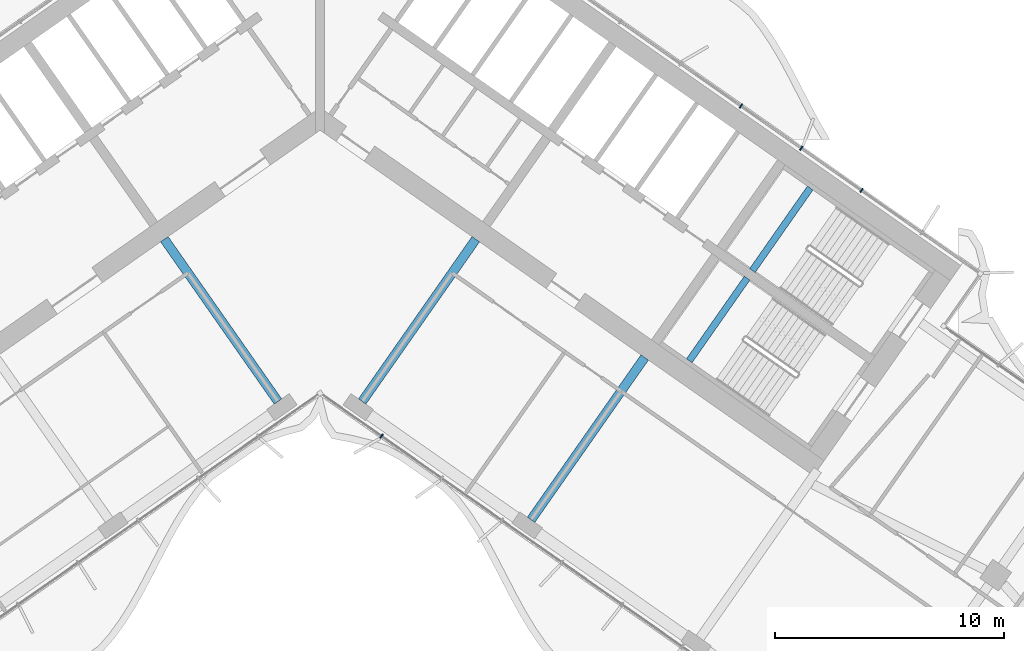
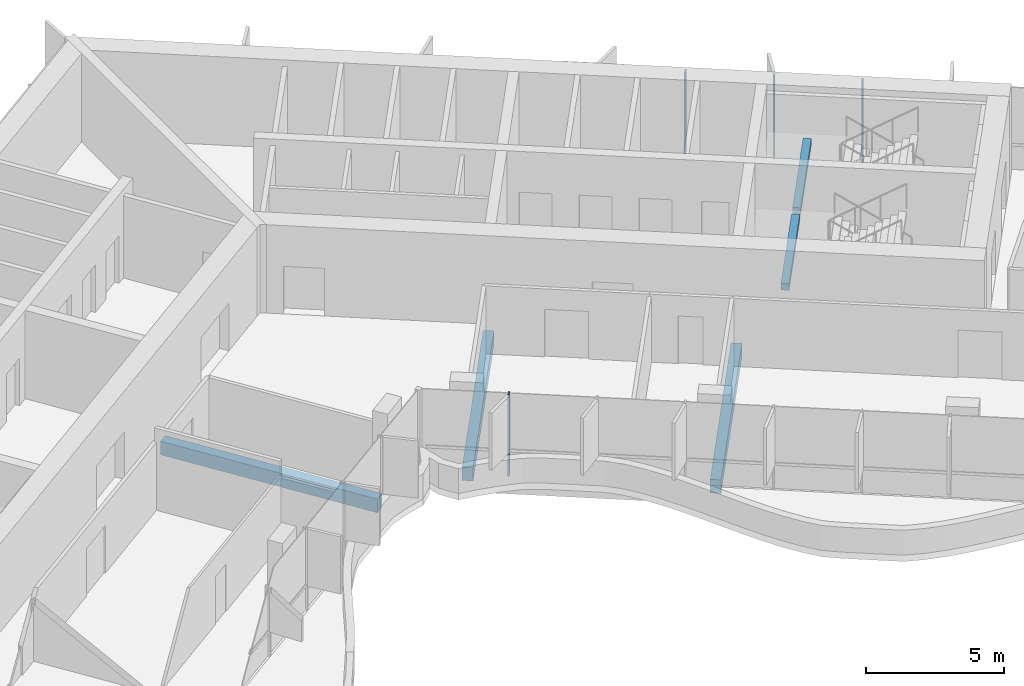
# One storey, part 7 of 23: 5 beams, 4 members, 2 elements without a shape of their own.
"""IFC4 building model written with IfcOpenShell, lengths in metres."""

from ifc_helpers import new_model, si_unit, direction, frame, origin, origin_2d, place, context, subcontext, project, spatial, rectangle, extrude, material, material_profile, profile_set, type_object, element, aggregate, save


model = new_model("IFC4")

# Units and contexts
model_context = context("Model", 3, precision=1e-05, world=origin(), true_north=direction((0.0, 1.0)))
body_context = subcontext(model_context, "Body", "Model", "MODEL_VIEW")
ifc_project = project(units=[si_unit("LENGTHUNIT", "METRE"), si_unit("AREAUNIT", "SQUARE_METRE"), si_unit("VOLUMEUNIT", "CUBIC_METRE"), si_unit("PLANEANGLEUNIT", "RADIAN"), si_unit("MASSUNIT", "GRAM", prefix="KILO")], contexts=[model_context])

# Site, building, storey
site_placement = place(None, origin())
site = spatial("IfcSite", under=ifc_project, at=site_placement, CompositionType="ELEMENT")
building_placement = place(site_placement, origin())
building = spatial("IfcBuilding", under=site, at=building_placement, Name="Tel Ilan Convention Tower", CompositionType="ELEMENT")
storey_placement = place(building_placement, frame((0.0, 0.0, 186.60009765625)))
storey = spatial("IfcBuildingStorey", under=building, at=storey_placement, Name="L43", CompositionType="ELEMENT", Elevation=186.60009765625)

# Beams
ifc_material_1 = material(Name="Concrete C40/50", Category="concrete")
ifc_material_profile_1 = material_profile(ifc_material_1, rectangle(XDim=0.39990234375, YDim=0.60009765625, at=origin_2d()), Name="RC 400x600")
ifc_profile_set_1 = profile_set([ifc_material_profile_1], Name="Concrete C40/50")
beam_type_1 = type_object("IfcBeamType", Name="Beam RC 400x600 Concrete C40/50", PredefinedType="BEAM", material=ifc_profile_set_1)
for number, where, z_axis, x_axis, name in (
    (1, (-1.83740234375, -13.06689453125, -0.580078125), (-0.573574099654, 0.819153680457, 0.0), (-0.819153680457, -0.573574099654, 0.0), "L43 beam W-W-F1-core"),
    (2, (1.83740234375, -13.06689453125, -0.580078125), (0.573574099654, 0.819153680457, 0.0), (-0.819153680457, 0.573574099654, 0.0), "L43 beam E-E-F1-core"),
    (3, (9.209716796875, -18.229248046875, -0.580078125), (0.573574099654, 0.819153680457, 0.0), (-0.819153680457, 0.573574099654, 0.0), "L43 beam E-E-F2-core"),
):
    element("IfcBeam", number, at=place(storey_placement, frame(where, z_axis=z_axis, x_axis=x_axis)), inside=storey, type_object=beam_type_1, Name=name, PredefinedType="BEAM", context=body_context, shape_type="SweptSolid", body=[
        extrude(rectangle(XDim=0.39990234375, YDim=0.60009765625, at=origin_2d()), origin(), (0.0, 0.0, 1.0), 8.64990234375),
    ])

# Curtain wall, members
ifc_material_2 = material(Name="Aluminium, bronze anodised", Category="aluminium")
curtain_wall_type_1 = type_object("IfcCurtainWallType", Name="CW2 STICK CURTAIN WALL, SPANDREL PANELS", PredefinedType="NOTDEFINED", material=ifc_material_2)
curtain_wall_1_placement = place(storey_placement, origin())
curtain_wall_1 = element("IfcCurtainWall", 4, at=curtain_wall_1_placement, inside=storey, type_object=curtain_wall_type_1, Name="Curtain wall CW2-33.01", PredefinedType="NOTDEFINED")
ifc_material_3 = material(Name="Aluminium, bronze anodised", Category="aluminium")
ifc_material_profile_2 = material_profile(ifc_material_3, rectangle(XDim=0.06005859375, YDim=0.199951171875, at=origin_2d()), Name="CW MULLION 60x200")
ifc_profile_set_2 = profile_set([ifc_material_profile_2], Name="Aluminium, bronze anodised")
member_type = type_object("IfcMemberType", Name="CW MULLION 60x200", PredefinedType="MULLION", material=ifc_profile_set_2)
member_1_placement = place(storey_placement, frame((23.63623046875, -3.854248046875, 0.0), z_axis=(0.0, 0.0, 1.0), x_axis=(-0.819152044289, 0.573576436351, 0.0)))
member_1 = element("IfcMember", 5, at=member_1_placement, type_object=member_type, Name="Mullion", PredefinedType="MULLION", context=body_context, shape_type="SweptSolid", body=[
    extrude(rectangle(XDim=0.06005859375, YDim=0.199951171875, at=origin_2d()), origin(), (0.0, 0.0, 1.0), 3.619873046875),
])
member_2_placement = place(storey_placement, frame((21.003662109375, -2.0107421875, 0.0), z_axis=(0.0, 0.0, 1.0), x_axis=(-0.819152044289, 0.573576436351, 0.0)))
member_2 = element("IfcMember", 6, at=member_2_placement, type_object=member_type, Name="Mullion", PredefinedType="MULLION", context=body_context, shape_type="SweptSolid", body=[
    extrude(rectangle(XDim=0.06005859375, YDim=0.199951171875, at=origin_2d()), origin(), (0.0, 0.0, 1.0), 3.619873046875),
])
member_3_placement = place(storey_placement, frame((18.37109375, -0.16748046875, 0.0), z_axis=(0.0, 0.0, 1.0), x_axis=(-0.819152044289, 0.573576436351, 0.0)))
member_3 = element("IfcMember", 7, at=member_3_placement, type_object=member_type, Name="Mullion", PredefinedType="MULLION", context=body_context, shape_type="SweptSolid", body=[
    extrude(rectangle(XDim=0.06005859375, YDim=0.199951171875, at=origin_2d()), origin(), (0.0, 0.0, 1.0), 3.619873046875),
])
aggregate(curtain_wall_1, [member_1, member_2, member_3])

# Curtain wall, member
ifc_material_4 = material(Name="Aluminium, bronze anodised", Category="aluminium")
curtain_wall_type_2 = type_object("IfcCurtainWallType", Name="CW4 STICK CURTAIN WALL, OFFICE TINTED GLASS", PredefinedType="NOTDEFINED", material=ifc_material_4)
curtain_wall_2_placement = place(storey_placement, origin())
curtain_wall_2 = element("IfcCurtainWall", 8, at=curtain_wall_2_placement, inside=storey, type_object=curtain_wall_type_2, Name="Curtain wall CW4-33.02", PredefinedType="NOTDEFINED")
member_4_placement = place(storey_placement, frame((2.6826171875, -14.574462890625, 0.0), z_axis=(0.0, 0.0, 1.0), x_axis=(0.819152044289, -0.573576436351, 0.0)))
member_4 = element("IfcMember", 9, at=member_4_placement, type_object=member_type, Name="Mullion", PredefinedType="MULLION", context=body_context, shape_type="SweptSolid", body=[
    extrude(rectangle(XDim=0.06005859375, YDim=0.199951171875, at=origin_2d()), origin(), (0.0, 0.0, 1.0), 3.619873046875),
])
aggregate(curtain_wall_2, [member_4])

# Beams
ifc_material_5 = material(Name="Concrete C40/50", Category="concrete")
ifc_material_profile_3 = material_profile(ifc_material_5, rectangle(XDim=0.300048828125, YDim=0.300048828125, at=origin_2d()), Name="RC 300x300")
ifc_profile_set_3 = profile_set([ifc_material_profile_3], Name="Concrete C40/50")
beam_type_2 = type_object("IfcBeamType", Name="Landing Beam RC 300x300 Concrete C40/50", PredefinedType="BEAM", material=ifc_profile_set_3)
beam_1_placement = place(storey_placement, frame((21.39404296875, -3.7490234375, 1.599853515625), z_axis=(-0.57354426506, -0.819174569928, 0.0), x_axis=(0.819174569928, -0.57354426506, 0.0)))
element("IfcBeam", 10, at=beam_1_placement, inside=storey, type_object=beam_type_2, Name="S3 landing beam L43.1", PredefinedType="BEAM", context=body_context, shape_type="SweptSolid", body=[
    extrude(rectangle(XDim=0.300048828125, YDim=0.300048828125, at=origin_2d()), origin(), (0.0, 0.0, 1.0), 4.400146484375),
])
beam_2_placement = place(storey_placement, frame((18.640869140625, -7.68115234375, 1.599853515625), z_axis=(-0.573570334442, -0.819156316858, 0.0), x_axis=(0.819156316858, -0.573570334442, 0.0)))
element("IfcBeam", 11, at=beam_2_placement, inside=storey, type_object=beam_type_2, Name="S4 landing beam L43.1", PredefinedType="BEAM", context=body_context, shape_type="SweptSolid", body=[
    extrude(rectangle(XDim=0.300048828125, YDim=0.300048828125, at=origin_2d()), origin(), (0.0, 0.0, 1.0), 4.39990234375),
])

save(model, "model.ifc")
